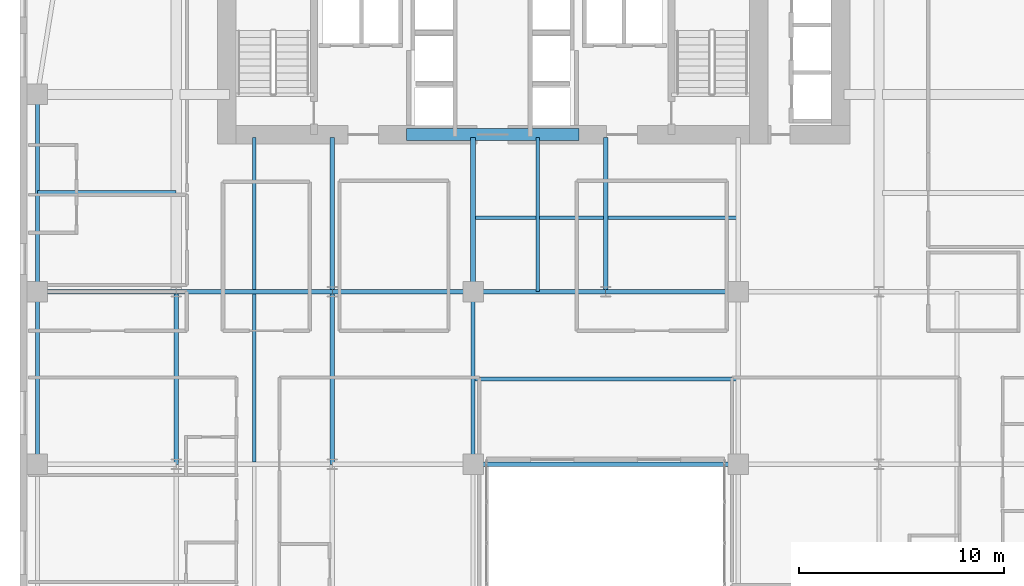
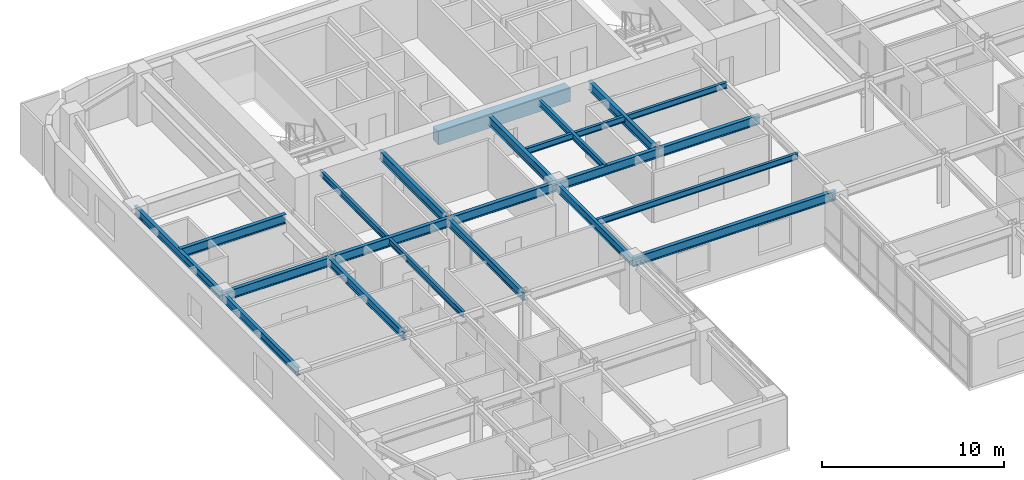
# One storey, part 4 of 16: 21 beams.
"""IFC4 building model written with IfcOpenShell, lengths in metres."""

from ifc_helpers import new_model, si_unit, direction, frame, origin, origin_2d, place, context, subcontext, project, spatial, rectangle, i_section, extrude, source, transform, mapped, material, material_profile, profile_set, type_object, type_shapes, element, save


model = new_model("IFC4")

# Units and contexts
model_context = context("Model", 3, precision=1e-05, world=origin(), true_north=direction((0.0, 1.0)))
body_context = subcontext(model_context, "Body", "Model", "MODEL_VIEW")
ifc_project = project(units=[si_unit("LENGTHUNIT", "METRE"), si_unit("AREAUNIT", "SQUARE_METRE"), si_unit("VOLUMEUNIT", "CUBIC_METRE"), si_unit("PLANEANGLEUNIT", "RADIAN"), si_unit("MASSUNIT", "GRAM", prefix="KILO")], contexts=[model_context])

# Site, building, storey
site_placement = place(None, origin())
site = spatial("IfcSite", under=ifc_project, at=site_placement, CompositionType="ELEMENT")
building_placement = place(site_placement, origin())
building = spatial("IfcBuilding", under=site, at=building_placement, Name="Tolvann Quenvar Hotel", CompositionType="ELEMENT")
storey_placement = place(building_placement, frame((0.0, 0.0, 63.949951171875)))
storey = spatial("IfcBuildingStorey", under=building, at=storey_placement, Name="L15", CompositionType="ELEMENT", Elevation=63.949951171875)

# Beams
ifc_material_1 = material(Name="Concrete N50 (50 MPa)", Category="concrete")
ifc_material_profile_1 = material_profile(ifc_material_1, rectangle(XDim=0.60009765625, YDim=0.89990234375, at=origin_2d()), Name="RC600x900")
ifc_profile_set_1 = profile_set([ifc_material_profile_1], Name="Concrete N50 (50 MPa)")
beam_type_1 = type_object("IfcBeamType", Name="BM_LINT_RC600x900", PredefinedType="LINTEL", material=ifc_profile_set_1)
shared_shape_1 = source(origin(), body_context, "Body", "SweptSolid", [
    extrude(rectangle(XDim=0.60009765625, YDim=0.89990234375, at=origin_2d()), origin(), (0.0, 0.0, 1.0), 8.39990234375),
])
type_shapes(beam_type_1, [shared_shape_1])
beam_1_placement = place(storey_placement, frame((18.800048828125, 32.050048828125, 2.920166015625), z_axis=(1.0, 0.0, 0.0), x_axis=(0.0, 1.0, 0.0)))
element("IfcBeam", 1, at=beam_1_placement, inside=storey, type_object=beam_type_1, Name="Core Coupling Lintel Beam (L15)", PredefinedType="LINTEL", context=body_context, shape_type="MappedRepresentation", body=[
    mapped(shared_shape_1, transform((0.0, 0.0, 0.0), x_axis=(1.0, 0.0, 0.0), y_axis=(0.0, 1.0, 0.0), z_axis=(0.0, 0.0, 1.0), scale=1.0)),
])
ifc_material_2 = material(Name="Steel Grade 350", Category="steel")
ifc_material_profile_2 = material_profile(ifc_material_2, i_section(OverallWidth=0.22900390625, OverallDepth=0.612060546875, WebThickness=0.011962890625, FlangeThickness=0.01953125, FilletRadius=0.013916015625, at=origin_2d()), Name="610UB125")
ifc_profile_set_2 = profile_set([ifc_material_profile_2], Name="Steel Grade 350")
beam_type_2 = type_object("IfcBeamType", Name="BM_GIRD_610UB125", PredefinedType="BEAM", material=ifc_profile_set_2)
shared_shape_2 = source(origin(), body_context, "Body", "SweptSolid", [
    extrude(i_section(OverallWidth=0.22900390625, OverallDepth=0.612060546875, WebThickness=0.011962890625, FlangeThickness=0.01953125, FilletRadius=0.013916015625, at=origin_2d()), origin(), (0.0, 0.0, 1.0), 6.75),
])
for number, where, z_axis, x_axis, name in (
    (2, (0.85009765625, 24.39990234375, 3.06396484375), (1.0, 0.0, 0.0), (0.0, 1.0, 0.0), "BM-L15-EW-5-B5-C5"),
    (3, (0.85009765625, 29.199951171875, 3.06396484375), (1.0, 0.0, 0.0), (0.0, 1.0, 0.0), "BM-L15-EW-BC29"),
):
    element("IfcBeam", number, at=place(storey_placement, frame(where, z_axis=z_axis, x_axis=x_axis)), inside=storey, type_object=beam_type_2, Name=name, PredefinedType="BEAM", context=body_context, shape_type="MappedRepresentation", body=[
        mapped(shared_shape_2, transform((0.0, 0.0, 0.0), x_axis=(1.0, 0.0, 0.0), y_axis=(0.0, 1.0, 0.0), z_axis=(0.0, 0.0, 1.0), scale=1.0)),
    ])
shared_shape_3 = source(origin(), body_context, "Body", "SweptSolid", [
    extrude(i_section(OverallWidth=0.22900390625, OverallDepth=0.612060546875, WebThickness=0.011962890625, FlangeThickness=0.01953125, FilletRadius=0.013916015625, at=origin_2d()), origin(), (0.0, 0.0, 1.0), 7.599853515625),
])
beam_2_placement = place(storey_placement, frame((7.60009765625, 24.39990234375, 3.06396484375), z_axis=(1.0, 0.0, 0.0), x_axis=(0.0, 1.0, 0.0)))
element("IfcBeam", 4, at=beam_2_placement, inside=storey, type_object=beam_type_2, Name="BM-L15-EW-5-C5-D5", PredefinedType="BEAM", context=body_context, shape_type="MappedRepresentation", body=[
    mapped(shared_shape_3, transform((0.0, 0.0, 0.0), x_axis=(1.0, 0.0, 0.0), y_axis=(0.0, 1.0, 0.0), z_axis=(0.0, 0.0, 1.0), scale=1.0)),
])
shared_shape_4 = source(origin(), body_context, "Body", "SweptSolid", [
    extrude(i_section(OverallWidth=0.22900390625, OverallDepth=0.612060546875, WebThickness=0.011962890625, FlangeThickness=0.01953125, FilletRadius=0.013916015625, at=origin_2d()), origin(), (0.0, 0.0, 1.0), 6.85009765625),
])
beam_3_placement = place(storey_placement, frame((15.199951171875, 24.39990234375, 3.06396484375), z_axis=(1.0, 0.0, 0.0), x_axis=(0.0, 1.0, 0.0)))
element("IfcBeam", 5, at=beam_3_placement, inside=storey, type_object=beam_type_2, Name="BM-L15-EW-5-D5-E5", PredefinedType="BEAM", context=body_context, shape_type="MappedRepresentation", body=[
    mapped(shared_shape_4, transform((0.0, 0.0, 0.0), x_axis=(1.0, 0.0, 0.0), y_axis=(0.0, 1.0, 0.0), z_axis=(0.0, 0.0, 1.0), scale=1.0)),
])
shared_shape_5 = source(origin(), body_context, "Body", "SweptSolid", [
    extrude(i_section(OverallWidth=0.22900390625, OverallDepth=0.612060546875, WebThickness=0.011962890625, FlangeThickness=0.01953125, FilletRadius=0.013916015625, at=origin_2d()), origin(), (0.0, 0.0, 1.0), 12.89990234375),
])
beam_4_placement = place(storey_placement, frame((22.050048828125, 16.0, 3.06396484375), z_axis=(1.0, 0.0, 0.0), x_axis=(0.0, 1.0, 0.0)))
element("IfcBeam", 6, at=beam_4_placement, inside=storey, type_object=beam_type_2, Name="BM-L15-EW-4-E4-F4", PredefinedType="BEAM", context=body_context, shape_type="MappedRepresentation", body=[
    mapped(shared_shape_5, transform((0.0, 0.0, 0.0), x_axis=(1.0, 0.0, 0.0), y_axis=(0.0, 1.0, 0.0), z_axis=(0.0, 0.0, 1.0), scale=1.0)),
])
shared_shape_6 = source(origin(), body_context, "Body", "SweptSolid", [
    extrude(i_section(OverallWidth=0.22900390625, OverallDepth=0.612060546875, WebThickness=0.011962890625, FlangeThickness=0.01953125, FilletRadius=0.013916015625, at=origin_2d()), origin(), (0.0, 0.0, 1.0), 6.449951171875),
])
for number, where, z_axis, x_axis, name in (
    (7, (22.050048828125, 24.39990234375, 3.06396484375), (1.0, 0.0, 0.0), (0.0, 1.0, 0.0), "BM-L15-EW-5-E5-M5"),
    (8, (28.5, 24.39990234375, 3.06396484375), (1.0, 0.0, 0.0), (0.0, 1.0, 0.0), "BM-L15-EW-5-M5-F5"),
):
    element("IfcBeam", number, at=place(storey_placement, frame(where, z_axis=z_axis, x_axis=x_axis)), inside=storey, type_object=beam_type_2, Name=name, PredefinedType="BEAM", context=body_context, shape_type="MappedRepresentation", body=[
        mapped(shared_shape_6, transform((0.0, 0.0, 0.0), x_axis=(1.0, 0.0, 0.0), y_axis=(0.0, 1.0, 0.0), z_axis=(0.0, 0.0, 1.0), scale=1.0)),
    ])
ifc_material_profile_3 = material_profile(ifc_material_2, i_section(OverallWidth=0.208984375, OverallDepth=0.528076171875, WebThickness=0.009521484375, FlangeThickness=0.01318359375, FilletRadius=0.013916015625, at=origin_2d()), Name="530UB82")
ifc_profile_set_3 = profile_set([ifc_material_profile_3], Name="Steel Grade 350")
beam_type_3 = type_object("IfcBeamType", Name="BM_SPAND_530UB82", PredefinedType="SPANDREL", material=ifc_profile_set_3)
shared_shape_7 = source(origin(), body_context, "Body", "SweptSolid", [
    extrude(i_section(OverallWidth=0.208984375, OverallDepth=0.528076171875, WebThickness=0.009521484375, FlangeThickness=0.01318359375, FilletRadius=0.013916015625, at=origin_2d()), origin(), (0.0, 0.0, 1.0), 8.39990234375),
])
beam_5_placement = place(storey_placement, frame((0.85009765625, 16.0, 3.10595703125), z_axis=(0.0, 1.0, 0.0), x_axis=(-1.0, 0.0, 0.0)))
element("IfcBeam", 9, at=beam_5_placement, inside=storey, type_object=beam_type_3, Name="BM-L15-NS-B4-B5", PredefinedType="SPANDREL", context=body_context, shape_type="MappedRepresentation", body=[
    mapped(shared_shape_7, transform((0.0, 0.0, 0.0), x_axis=(1.0, 0.0, 0.0), y_axis=(0.0, 1.0, 0.0), z_axis=(0.0, 0.0, 1.0), scale=1.0)),
])
ifc_material_profile_4 = material_profile(ifc_material_2, i_section(OverallWidth=0.208984375, OverallDepth=0.532958984375, WebThickness=0.01025390625, FlangeThickness=0.015625, FilletRadius=0.013916015625, at=origin_2d()), Name="530UB92")
ifc_profile_set_4 = profile_set([ifc_material_profile_4], Name="Steel Grade 350")
beam_type_4 = type_object("IfcBeamType", Name="BM_GIRD_530UB92", PredefinedType="BEAM", material=ifc_profile_set_4)
shared_shape_8 = source(origin(), body_context, "Body", "SweptSolid", [
    extrude(i_section(OverallWidth=0.208984375, OverallDepth=0.532958984375, WebThickness=0.01025390625, FlangeThickness=0.015625, FilletRadius=0.013916015625, at=origin_2d()), origin(), (0.0, 0.0, 1.0), 8.39990234375),
])
type_shapes(beam_type_4, [shared_shape_8])
for number, where, z_axis, x_axis, name in (
    (10, (7.60009765625, 16.0, 3.103515625), (0.0, 1.0, 0.0), (-1.0, 0.0, 0.0), "BM-L15-NS-C4-C5"),
    (11, (15.199951171875, 16.0, 3.103515625), (0.0, 1.0, 0.0), (-1.0, 0.0, 0.0), "BM-L15-NS-D4-D5"),
    (12, (22.050048828125, 16.0, 3.103515625), (0.0, 1.0, 0.0), (-1.0, 0.0, 0.0), "BM-L15-NS-E4-E5"),
):
    element("IfcBeam", number, at=place(storey_placement, frame(where, z_axis=z_axis, x_axis=x_axis)), inside=storey, type_object=beam_type_4, Name=name, PredefinedType="BEAM", context=body_context, shape_type="MappedRepresentation", body=[
        mapped(shared_shape_8, transform((0.0, 0.0, 0.0), x_axis=(1.0, 0.0, 0.0), y_axis=(0.0, 1.0, 0.0), z_axis=(0.0, 0.0, 1.0), scale=1.0)),
    ])
shared_shape_9 = source(origin(), body_context, "Body", "SweptSolid", [
    extrude(i_section(OverallWidth=0.22900390625, OverallDepth=0.612060546875, WebThickness=0.011962890625, FlangeThickness=0.01953125, FilletRadius=0.013916015625, at=origin_2d()), origin(), (0.0, 0.0, 1.0), 7.5),
])
type_shapes(beam_type_2, [shared_shape_2, shared_shape_3, shared_shape_4, shared_shape_5, shared_shape_6, shared_shape_9])
for number, where, z_axis, x_axis, name in (
    (13, (15.199951171875, 24.39990234375, 3.06396484375), (0.0, 1.0, 0.0), (-1.0, 0.0, 0.0), "BM-L15-CORE-D5"),
    (14, (22.050048828125, 24.39990234375, 3.06396484375), (0.0, 1.0, 0.0), (-1.0, 0.0, 0.0), "BM-L15-CORE-E5"),
    (15, (28.5, 24.39990234375, 3.06396484375), (0.0, 1.0, 0.0), (-1.0, 0.0, 0.0), "BM-L15-CORE-M5"),
):
    element("IfcBeam", number, at=place(storey_placement, frame(where, z_axis=z_axis, x_axis=x_axis)), inside=storey, type_object=beam_type_2, Name=name, PredefinedType="BEAM", context=body_context, shape_type="MappedRepresentation", body=[
        mapped(shared_shape_9, transform((0.0, 0.0, 0.0), x_axis=(1.0, 0.0, 0.0), y_axis=(0.0, 1.0, 0.0), z_axis=(0.0, 0.0, 1.0), scale=1.0)),
    ])
shared_shape_10 = source(origin(), body_context, "Body", "SweptSolid", [
    extrude(i_section(OverallWidth=0.208984375, OverallDepth=0.528076171875, WebThickness=0.009521484375, FlangeThickness=0.01318359375, FilletRadius=0.013916015625, at=origin_2d()), origin(), (0.0, 0.0, 1.0), 9.60009765625),
])
type_shapes(beam_type_3, [shared_shape_7, shared_shape_10])
beam_6_placement = place(storey_placement, frame((0.85009765625, 24.39990234375, 3.10595703125), z_axis=(0.0, 1.0, 0.0), x_axis=(-1.0, 0.0, 0.0)))
element("IfcBeam", 16, at=beam_6_placement, inside=storey, type_object=beam_type_3, Name="BM-L15-FLK-W1", PredefinedType="SPANDREL", context=body_context, shape_type="MappedRepresentation", body=[
    mapped(shared_shape_10, transform((0.0, 0.0, 0.0), x_axis=(1.0, 0.0, 0.0), y_axis=(0.0, 1.0, 0.0), z_axis=(0.0, 0.0, 1.0), scale=1.0)),
])
ifc_material_profile_5 = material_profile(ifc_material_2, i_section(OverallWidth=0.177978515625, OverallDepth=0.406005859375, WebThickness=0.0078125, FlangeThickness=0.0126953125, FilletRadius=0.011474609375, at=origin_2d()), Name="410UB60")
ifc_profile_set_5 = profile_set([ifc_material_profile_5], Name="Steel Grade 350")
beam_type_5 = type_object("IfcBeamType", Name="BM_JOIST_410UB60", PredefinedType="JOIST", material=ifc_profile_set_5)
shared_shape_11 = source(origin(), body_context, "Body", "SweptSolid", [
    extrude(i_section(OverallWidth=0.177978515625, OverallDepth=0.406005859375, WebThickness=0.0078125, FlangeThickness=0.0126953125, FilletRadius=0.011474609375, at=origin_2d()), origin(), (0.0, 0.0, 1.0), 12.89990234375),
])
for number, where, z_axis, x_axis, name in (
    (17, (22.050048828125, 20.14990234375, 3.1669921875), (1.0, 0.0, 0.0), (0.0, 1.0, 0.0), "BM-L15-SPINE-20"),
    (18, (22.050048828125, 28.0, 3.1669921875), (1.0, 0.0, 0.0), (0.0, 1.0, 0.0), "BM-L15-SPINE-28"),
):
    element("IfcBeam", number, at=place(storey_placement, frame(where, z_axis=z_axis, x_axis=x_axis)), inside=storey, type_object=beam_type_5, Name=name, PredefinedType="JOIST", context=body_context, shape_type="MappedRepresentation", body=[
        mapped(shared_shape_11, transform((0.0, 0.0, 0.0), x_axis=(1.0, 0.0, 0.0), y_axis=(0.0, 1.0, 0.0), z_axis=(0.0, 0.0, 1.0), scale=1.0)),
    ])
shared_shape_12 = source(origin(), body_context, "Body", "SweptSolid", [
    extrude(i_section(OverallWidth=0.177978515625, OverallDepth=0.406005859375, WebThickness=0.0078125, FlangeThickness=0.0126953125, FilletRadius=0.011474609375, at=origin_2d()), origin(), (0.0, 0.0, 1.0), 8.18310546875),
])
beam_7_placement = place(storey_placement, frame((11.39990234375, 16.1083984375, 3.1669921875), z_axis=(0.0, 1.0, 0.0), x_axis=(-1.0, 0.0, 0.0)))
element("IfcBeam", 19, at=beam_7_placement, inside=storey, type_object=beam_type_5, Name="BJ-L15-114-160", PredefinedType="JOIST", context=body_context, shape_type="MappedRepresentation", body=[
    mapped(shared_shape_12, transform((0.0, 0.0, 0.0), x_axis=(1.0, 0.0, 0.0), y_axis=(0.0, 1.0, 0.0), z_axis=(0.0, 0.0, 1.0), scale=1.0)),
])
shared_shape_13 = source(origin(), body_context, "Body", "SweptSolid", [
    extrude(i_section(OverallWidth=0.177978515625, OverallDepth=0.406005859375, WebThickness=0.0078125, FlangeThickness=0.0126953125, FilletRadius=0.011474609375, at=origin_2d()), origin(), (0.0, 0.0, 1.0), 7.391357421875),
])
beam_8_placement = place(storey_placement, frame((11.39990234375, 24.508544921875, 3.1669921875), z_axis=(0.0, 1.0, 0.0), x_axis=(-1.0, 0.0, 0.0)))
element("IfcBeam", 20, at=beam_8_placement, inside=storey, type_object=beam_type_5, Name="BJ-L15-114-244", PredefinedType="JOIST", context=body_context, shape_type="MappedRepresentation", body=[
    mapped(shared_shape_13, transform((0.0, 0.0, 0.0), x_axis=(1.0, 0.0, 0.0), y_axis=(0.0, 1.0, 0.0), z_axis=(0.0, 0.0, 1.0), scale=1.0)),
])
shared_shape_14 = source(origin(), body_context, "Body", "SweptSolid", [
    extrude(i_section(OverallWidth=0.177978515625, OverallDepth=0.406005859375, WebThickness=0.0078125, FlangeThickness=0.0126953125, FilletRadius=0.011474609375, at=origin_2d()), origin(), (0.0, 0.0, 1.0), 7.5),
])
type_shapes(beam_type_5, [shared_shape_11, shared_shape_12, shared_shape_13, shared_shape_14])
beam_9_placement = place(storey_placement, frame((25.199951171875, 24.39990234375, 3.1669921875), z_axis=(0.0, 1.0, 0.0), x_axis=(-1.0, 0.0, 0.0)))
element("IfcBeam", 21, at=beam_9_placement, inside=storey, type_object=beam_type_5, Name="BJ-L15-252-244", PredefinedType="JOIST", context=body_context, shape_type="MappedRepresentation", body=[
    mapped(shared_shape_14, transform((0.0, 0.0, 0.0), x_axis=(1.0, 0.0, 0.0), y_axis=(0.0, 1.0, 0.0), z_axis=(0.0, 0.0, 1.0), scale=1.0)),
])

save(model, "model.ifc")
